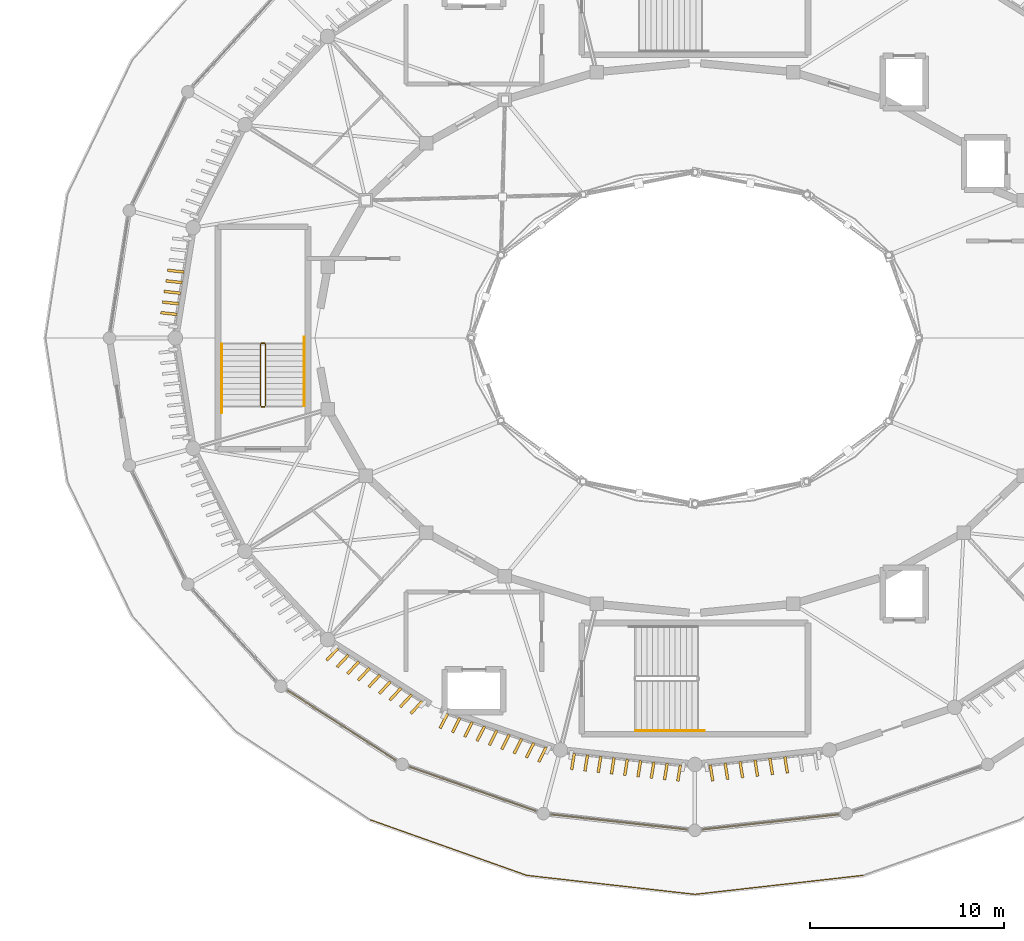
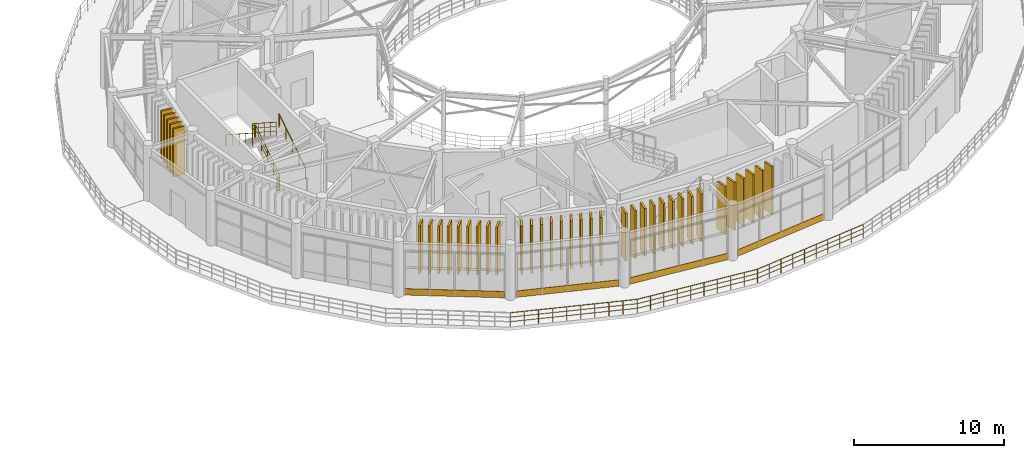
# One storey, part 39 of 45: 38 shading devices, 10 railings, 4 coverings.
"""IFC4 building model written with IfcOpenShell, lengths in metres."""

from ifc_helpers import new_model, si_unit, direction, frame, origin, origin_2d, place, context, subcontext, project, spatial, rectangle, circle, extrude, material, layer, layer_set, type_object, element, save


model = new_model("IFC4")

# Units and contexts
model_context = context("Model", 3, precision=1e-05, world=origin(), true_north=direction((0.0, 1.0)))
body_context = subcontext(model_context, "Body", "Model", "MODEL_VIEW")
ifc_project = project(units=[si_unit("LENGTHUNIT", "METRE"), si_unit("AREAUNIT", "SQUARE_METRE"), si_unit("VOLUMEUNIT", "CUBIC_METRE"), si_unit("PLANEANGLEUNIT", "RADIAN"), si_unit("MASSUNIT", "GRAM", prefix="KILO")], contexts=[model_context])

# Site, building, storey
site_placement = place(None, origin())
site = spatial("IfcSite", under=ifc_project, at=site_placement, CompositionType="ELEMENT")
building_placement = place(site_placement, origin())
building = spatial("IfcBuilding", under=site, at=building_placement, Name="Cinderbank Siding Concert Hall", CompositionType="ELEMENT")
storey_placement = place(building_placement, frame((0.0, 0.0, 19.199951171875)))
storey = spatial("IfcBuildingStorey", under=building, at=storey_placement, Name="L05", CompositionType="ELEMENT", Elevation=19.199951171875)

# Coverings
ifc_material_1 = material(Name="Spotted gum glulam timber GL18 (42 MPa)", Category="wood")
ifc_layer = layer(ifc_material_1, 0.06494140625)
ifc_layer_set = layer_set([ifc_layer], Name="Spotted gum glulam timber GL18 (42 MPa)")
covering_type = type_object("IfcCoveringType", Name="CL-01 Spotted Gum Spandrel Band 520mm", PredefinedType="CLADDING", material=ifc_layer_set)
covering_1_placement = place(storey_placement, frame((103.772705078125, 24.021240234375, 0.0), z_axis=(0.0, 0.0, 1.0), x_axis=(0.840218663385, -0.542247727243, 0.0)))
element("IfcCovering", 1, at=covering_1_placement, inside=storey, type_object=covering_type, Name="CW-L05-085 Spotted Gum Spandrel Band", PredefinedType="CLADDING", context=body_context, shape_type="SweptSolid", body=[
    extrude(rectangle(XDim=6.6640625, YDim=0.06494140625, at=origin_2d()), origin(), (0.0, 0.0, 1.0), 0.52001953125),
])
covering_2_placement = place(storey_placement, frame((110.5419921875, 20.734130859375, 0.0), z_axis=(0.0, 0.0, 1.0), x_axis=(0.944334191914, -0.328987741387, 0.0)))
element("IfcCovering", 2, at=covering_2_placement, inside=storey, type_object=covering_type, Name="CW-L05-086 Spotted Gum Spandrel Band", PredefinedType="CLADDING", context=body_context, shape_type="SweptSolid", body=[
    extrude(rectangle(XDim=6.93310546875, YDim=0.06494140625, at=origin_2d()), origin(), (0.0, 0.0, 1.0), 0.52001953125),
])
for number, where, z_axis, x_axis, name in (
    (3, (118.091796875, 19.03271484375, 0.0), (0.0, 0.0, 1.0), (0.993925224089, -0.110057480072, 0.0), "CW-L05-087 Spotted Gum Spandrel Band"),
    (4, (125.908203125, 19.03271484375, 0.0), (0.0, 0.0, 1.0), (0.993925224089, 0.110057480072, 0.0), "CW-L05-088 Spotted Gum Spandrel Band"),
):
    element("IfcCovering", number, at=place(storey_placement, frame(where, z_axis=z_axis, x_axis=x_axis)), inside=storey, type_object=covering_type, Name=name, PredefinedType="CLADDING", context=body_context, shape_type="SweptSolid", body=[
        extrude(rectangle(XDim=7.083984375, YDim=0.06494140625, at=origin_2d()), origin(), (0.0, 0.0, 1.0), 0.52001953125),
    ])

# Railings
ifc_material_2 = material(Name="Structural steel AS/NZS 3679.1 Grade 350 (340 MPa)", Category="steel")
railing_type_1 = type_object("IfcRailingType", Name="GD-01 Terrace & Perimeter Guardrail 1120mm", PredefinedType="GUARDRAIL", material=ifc_material_2)
railing_1_placement = place(storey_placement, frame((130.673583984375, 16.279296875, 0.0)))
element("IfcRailing", 5, at=railing_1_placement, inside=storey, type_object=railing_type_1, Name="L05 Perimeter Guardrail #112", PredefinedType="GUARDRAIL", context=body_context, shape_type="SweptSolid", body=[
    extrude(circle(Radius=0.02392578125, at=origin_2d()), frame((0.0, 0.0, 1.09619140625), z_axis=(-0.99369331091, -0.112132082175, 0.0), x_axis=(0.112132082175, -0.99369331091, 0.0)), (0.0, 0.0, 1.0), 8.728515625),
    extrude(circle(Radius=0.01611328125, at=origin_2d()), frame((0.0, 0.0, 0.36962890625), z_axis=(-0.99369331091, -0.112132082175, 0.0), x_axis=(0.112132082175, -0.99369331091, 0.0)), (0.0, 0.0, 1.0), 8.728515625),
    extrude(circle(Radius=0.01611328125, at=origin_2d()), frame((0.0, 0.0, 0.7392578125), z_axis=(-0.99369331091, -0.112132082175, 0.0), x_axis=(0.112132082175, -0.99369331091, 0.0)), (0.0, 0.0, 1.0), 8.728515625),
    extrude(circle(Radius=0.02099609375, at=origin_2d()), origin(), (0.0, 0.0, 1.0), 1.072021484375),
    extrude(circle(Radius=0.02099609375, at=origin_2d()), frame((-0.963623046875, -0.108642578125, 0.0)), (0.0, 0.0, 1.0), 1.072021484375),
    extrude(circle(Radius=0.02099609375, at=origin_2d()), frame((-1.927490234375, -0.217529296875, 0.0)), (0.0, 0.0, 1.0), 1.072021484375),
    extrude(circle(Radius=0.02099609375, at=origin_2d()), frame((-2.89111328125, -0.326171875, 0.0)), (0.0, 0.0, 1.0), 1.072021484375),
    extrude(circle(Radius=0.02099609375, at=origin_2d()), frame((-3.85498046875, -0.43505859375, 0.0)), (0.0, 0.0, 1.0), 1.072021484375),
    extrude(circle(Radius=0.02099609375, at=origin_2d()), frame((-4.818603515625, -0.543701171875, 0.0)), (0.0, 0.0, 1.0), 1.072021484375),
    extrude(circle(Radius=0.02099609375, at=origin_2d()), frame((-5.782470703125, -0.652587890625, 0.0)), (0.0, 0.0, 1.0), 1.072021484375),
    extrude(circle(Radius=0.02099609375, at=origin_2d()), frame((-6.74609375, -0.76123046875, 0.0)), (0.0, 0.0, 1.0), 1.072021484375),
    extrude(circle(Radius=0.02099609375, at=origin_2d()), frame((-7.7099609375, -0.8701171875, 0.0)), (0.0, 0.0, 1.0), 1.072021484375),
    extrude(circle(Radius=0.02099609375, at=origin_2d()), frame((-8.673583984375, -0.978759765625, 0.0)), (0.0, 0.0, 1.0), 1.072021484375),
])
railing_2_placement = place(storey_placement, frame((122.0, 15.300537109375, 0.0)))
element("IfcRailing", 6, at=railing_2_placement, inside=storey, type_object=railing_type_1, Name="L05 Perimeter Guardrail #113", PredefinedType="GUARDRAIL", context=body_context, shape_type="SweptSolid", body=[
    extrude(circle(Radius=0.02392578125, at=origin_2d()), frame((0.0, 0.0, 1.09619140625), z_axis=(-0.99369331091, 0.112132082175, 0.0), x_axis=(-0.112132082175, -0.99369331091, 0.0)), (0.0, 0.0, 1.0), 8.728515625),
    extrude(circle(Radius=0.01611328125, at=origin_2d()), frame((0.0, 0.0, 0.36962890625), z_axis=(-0.99369331091, 0.112132082175, 0.0), x_axis=(-0.112132082175, -0.99369331091, 0.0)), (0.0, 0.0, 1.0), 8.728515625),
    extrude(circle(Radius=0.01611328125, at=origin_2d()), frame((0.0, 0.0, 0.7392578125), z_axis=(-0.99369331091, 0.112132082175, 0.0), x_axis=(-0.112132082175, -0.99369331091, 0.0)), (0.0, 0.0, 1.0), 8.728515625),
    extrude(circle(Radius=0.02099609375, at=origin_2d()), origin(), (0.0, 0.0, 1.0), 1.072021484375),
    extrude(circle(Radius=0.02099609375, at=origin_2d()), frame((-0.963623046875, 0.108642578125, 0.0)), (0.0, 0.0, 1.0), 1.072021484375),
    extrude(circle(Radius=0.02099609375, at=origin_2d()), frame((-1.927490234375, 0.217529296875, 0.0)), (0.0, 0.0, 1.0), 1.072021484375),
    extrude(circle(Radius=0.02099609375, at=origin_2d()), frame((-2.89111328125, 0.326171875, 0.0)), (0.0, 0.0, 1.0), 1.072021484375),
    extrude(circle(Radius=0.02099609375, at=origin_2d()), frame((-3.85498046875, 0.43505859375, 0.0)), (0.0, 0.0, 1.0), 1.072021484375),
    extrude(circle(Radius=0.02099609375, at=origin_2d()), frame((-4.818603515625, 0.543701171875, 0.0)), (0.0, 0.0, 1.0), 1.072021484375),
    extrude(circle(Radius=0.02099609375, at=origin_2d()), frame((-5.782470703125, 0.652587890625, 0.0)), (0.0, 0.0, 1.0), 1.072021484375),
    extrude(circle(Radius=0.02099609375, at=origin_2d()), frame((-6.74609375, 0.76123046875, 0.0)), (0.0, 0.0, 1.0), 1.072021484375),
    extrude(circle(Radius=0.02099609375, at=origin_2d()), frame((-7.7099609375, 0.8701171875, 0.0)), (0.0, 0.0, 1.0), 1.072021484375),
    extrude(circle(Radius=0.02099609375, at=origin_2d()), frame((-8.673583984375, 0.978759765625, 0.0)), (0.0, 0.0, 1.0), 1.072021484375),
])
railing_3_placement = place(storey_placement, frame((113.326416015625, 16.279296875, 0.0)))
element("IfcRailing", 7, at=railing_3_placement, inside=storey, type_object=railing_type_1, Name="L05 Perimeter Guardrail #114", PredefinedType="GUARDRAIL", context=body_context, shape_type="SweptSolid", body=[
    extrude(circle(Radius=0.02392578125, at=origin_2d()), frame((0.0, 0.0, 1.09619140625), z_axis=(-0.942363766241, 0.334590095603, 0.0), x_axis=(-0.334590095603, -0.942363766241, 0.0)), (0.0, 0.0, 1.0), 8.575927734375),
    extrude(circle(Radius=0.01611328125, at=origin_2d()), frame((0.0, 0.0, 0.36962890625), z_axis=(-0.942363766241, 0.334590095603, 0.0), x_axis=(-0.334590095603, -0.942363766241, 0.0)), (0.0, 0.0, 1.0), 8.575927734375),
    extrude(circle(Radius=0.01611328125, at=origin_2d()), frame((0.0, 0.0, 0.7392578125), z_axis=(-0.942363766241, 0.334590095603, 0.0), x_axis=(-0.334590095603, -0.942363766241, 0.0)), (0.0, 0.0, 1.0), 8.575927734375),
    extrude(circle(Radius=0.02099609375, at=origin_2d()), origin(), (0.0, 0.0, 1.0), 1.072021484375),
    extrude(circle(Radius=0.02099609375, at=origin_2d()), frame((-0.89794921875, 0.31884765625, 0.0)), (0.0, 0.0, 1.0), 1.072021484375),
    extrude(circle(Radius=0.02099609375, at=origin_2d()), frame((-1.7958984375, 0.6376953125, 0.0)), (0.0, 0.0, 1.0), 1.072021484375),
    extrude(circle(Radius=0.02099609375, at=origin_2d()), frame((-2.69384765625, 0.95654296875, 0.0)), (0.0, 0.0, 1.0), 1.072021484375),
    extrude(circle(Radius=0.02099609375, at=origin_2d()), frame((-3.591796875, 1.275390625, 0.0)), (0.0, 0.0, 1.0), 1.072021484375),
    extrude(circle(Radius=0.02099609375, at=origin_2d()), frame((-4.48974609375, 1.593994140625, 0.0)), (0.0, 0.0, 1.0), 1.072021484375),
    extrude(circle(Radius=0.02099609375, at=origin_2d()), frame((-5.3876953125, 1.912841796875, 0.0)), (0.0, 0.0, 1.0), 1.072021484375),
    extrude(circle(Radius=0.02099609375, at=origin_2d()), frame((-6.28564453125, 2.231689453125, 0.0)), (0.0, 0.0, 1.0), 1.072021484375),
    extrude(circle(Radius=0.02099609375, at=origin_2d()), frame((-7.18359375, 2.550537109375, 0.0)), (0.0, 0.0, 1.0), 1.072021484375),
    extrude(circle(Radius=0.02099609375, at=origin_2d()), frame((-8.08154296875, 2.869384765625, 0.0)), (0.0, 0.0, 1.0), 1.072021484375),
])

# Shading devices
ifc_material_3 = material(Name="Glazed architectural terracotta acoustic louvre unit", Category="masonry")
shading_device_type = type_object("IfcShadingDeviceType", Name="LV-01 Terracotta Louvre Blade 850x3850", PredefinedType="JALOUSIE", material=ifc_material_3)
for number, where, z_axis, x_axis, name in (
    (8, (95.21728515625, 47.450927734375, 0.0751953125), (0.0, 0.0, 1.0), (-0.994210818271, 0.107446958234, 0.0), "L05 Terracotta Louvre Blade #94"),
    (9, (95.129638671875, 46.90380859375, 0.0751953125), (0.0, 0.0, 1.0), (-0.994210818271, 0.107446958234, 0.0), "L05 Terracotta Louvre Blade #95"),
    (10, (95.0419921875, 46.35693359375, 0.0751953125), (0.0, 0.0, 1.0), (-0.994210818271, 0.107446958234, 0.0), "L05 Terracotta Louvre Blade #96"),
    (11, (94.9541015625, 45.809814453125, 0.0751953125), (0.0, 0.0, 1.0), (-0.994210818271, 0.107446958234, 0.0), "L05 Terracotta Louvre Blade #97"),
    (12, (94.866455078125, 45.2626953125, 0.0751953125), (0.0, 0.0, 1.0), (-0.994210818271, 0.107446958234, 0.0), "L05 Terracotta Louvre Blade #98"),
    (13, (103.289306640625, 27.677490234375, 0.0751953125), (0.0, 0.0, 1.0), (-0.682869257989, -0.730540605643, 0.0), "L05 Terracotta Louvre Blade #127"),
    (14, (103.832763671875, 27.335205078125, 0.0751953125), (0.0, 0.0, 1.0), (-0.682869257989, -0.730540605643, 0.0), "L05 Terracotta Louvre Blade #128"),
    (15, (104.3759765625, 26.992919921875, 0.0751953125), (0.0, 0.0, 1.0), (-0.682869257989, -0.730540605643, 0.0), "L05 Terracotta Louvre Blade #129"),
    (16, (104.91943359375, 26.650634765625, 0.0751953125), (0.0, 0.0, 1.0), (-0.682869257989, -0.730540605643, 0.0), "L05 Terracotta Louvre Blade #130"),
    (17, (105.462890625, 26.308349609375, 0.0751953125), (0.0, 0.0, 1.0), (-0.682869257989, -0.730540605643, 0.0), "L05 Terracotta Louvre Blade #131"),
    (18, (106.006103515625, 25.966064453125, 0.0751953125), (0.0, 0.0, 1.0), (-0.682869257989, -0.730540605643, 0.0), "L05 Terracotta Louvre Blade #132"),
    (19, (106.549560546875, 25.623779296875, 0.0751953125), (0.0, 0.0, 1.0), (-0.682869257989, -0.730540605643, 0.0), "L05 Terracotta Louvre Blade #133"),
    (20, (107.093017578125, 25.281494140625, 0.0751953125), (0.0, 0.0, 1.0), (-0.682869257989, -0.730540605643, 0.0), "L05 Terracotta Louvre Blade #134"),
    (21, (107.636474609375, 24.939208984375, 0.0751953125), (0.0, 0.0, 1.0), (-0.682869257989, -0.730540605643, 0.0), "L05 Terracotta Louvre Blade #135"),
    (22, (109.048583984375, 24.240478515625, 0.0751953125), (0.0, 0.0, 1.0), (-0.450487284518, -0.89278284397, 0.0), "L05 Terracotta Louvre Blade #136"),
    (23, (109.684814453125, 24.024169921875, 0.0751953125), (0.0, 0.0, 1.0), (-0.450487284518, -0.89278284397, 0.0), "L05 Terracotta Louvre Blade #137"),
    (24, (110.32080078125, 23.807861328125, 0.0751953125), (0.0, 0.0, 1.0), (-0.450487284518, -0.89278284397, 0.0), "L05 Terracotta Louvre Blade #138"),
    (25, (110.956787109375, 23.591552734375, 0.0751953125), (0.0, 0.0, 1.0), (-0.450487284518, -0.89278284397, 0.0), "L05 Terracotta Louvre Blade #139"),
    (26, (111.593017578125, 23.375244140625, 0.0751953125), (0.0, 0.0, 1.0), (-0.450487284518, -0.89278284397, 0.0), "L05 Terracotta Louvre Blade #140"),
    (27, (112.229248046875, 23.158935546875, 0.0751953125), (0.0, 0.0, 1.0), (-0.450487284518, -0.89278284397, 0.0), "L05 Terracotta Louvre Blade #141"),
    (28, (112.865234375, 22.942626953125, 0.0751953125), (0.0, 0.0, 1.0), (-0.450487284518, -0.89278284397, 0.0), "L05 Terracotta Louvre Blade #142"),
    (29, (113.50146484375, 22.726318359375, 0.0751953125), (0.0, 0.0, 1.0), (-0.450487284518, -0.89278284397, 0.0), "L05 Terracotta Louvre Blade #143"),
    (30, (114.137451171875, 22.510009765625, 0.0751953125), (0.0, 0.0, 1.0), (-0.450487284518, -0.89278284397, 0.0), "L05 Terracotta Louvre Blade #144"),
    (31, (115.709716796875, 22.1474609375, 0.0751953125), (0.0, 0.0, 1.0), (-0.158354123126, -0.987382383724, 0.0), "L05 Terracotta Louvre Blade #145"),
    (32, (116.394287109375, 22.073486328125, 0.0751953125), (0.0, 0.0, 1.0), (-0.158354123126, -0.987382383724, 0.0), "L05 Terracotta Louvre Blade #146"),
    (33, (117.078857421875, 21.99951171875, 0.0751953125), (0.0, 0.0, 1.0), (-0.158354123126, -0.987382383724, 0.0), "L05 Terracotta Louvre Blade #147"),
    (34, (117.76318359375, 21.925537109375, 0.0751953125), (0.0, 0.0, 1.0), (-0.158354123126, -0.987382383724, 0.0), "L05 Terracotta Louvre Blade #148"),
    (35, (118.447998046875, 21.8515625, 0.0751953125), (0.0, 0.0, 1.0), (-0.158354123126, -0.987382383724, 0.0), "L05 Terracotta Louvre Blade #149"),
    (36, (119.13232421875, 21.777587890625, 0.0751953125), (0.0, 0.0, 1.0), (-0.158354123126, -0.987382383724, 0.0), "L05 Terracotta Louvre Blade #150"),
    (37, (119.81689453125, 21.70361328125, 0.0751953125), (0.0, 0.0, 1.0), (-0.158354123126, -0.987382383724, 0.0), "L05 Terracotta Louvre Blade #151"),
    (38, (120.50146484375, 21.629638671875, 0.0751953125), (0.0, 0.0, 1.0), (-0.158354123126, -0.987382383724, 0.0), "L05 Terracotta Louvre Blade #152"),
    (39, (121.18603515625, 21.5556640625, 0.0751953125), (0.0, 0.0, 1.0), (-0.158354123126, -0.987382383724, 0.0), "L05 Terracotta Louvre Blade #153"),
    (40, (122.856689453125, 21.560302734375, 0.0751953125), (0.0, 0.0, 1.0), (0.158354123126, -0.987382383724, 0.0), "L05 Terracotta Louvre Blade #154"),
    (41, (123.626708984375, 21.643310546875, 0.0751953125), (0.0, 0.0, 1.0), (0.158354123126, -0.987382383724, 0.0), "L05 Terracotta Louvre Blade #155"),
    (42, (124.39697265625, 21.726806640625, 0.0751953125), (0.0, 0.0, 1.0), (0.158354123126, -0.987382383724, 0.0), "L05 Terracotta Louvre Blade #156"),
    (43, (125.1669921875, 21.809814453125, 0.0751953125), (0.0, 0.0, 1.0), (0.158354123126, -0.987382383724, 0.0), "L05 Terracotta Louvre Blade #157"),
    (44, (125.937255859375, 21.89306640625, 0.0751953125), (0.0, 0.0, 1.0), (0.158354123126, -0.987382383724, 0.0), "L05 Terracotta Louvre Blade #158"),
    (45, (126.707275390625, 21.976318359375, 0.0751953125), (0.0, 0.0, 1.0), (0.158354123126, -0.987382383724, 0.0), "L05 Terracotta Louvre Blade #159"),
):
    element("IfcShadingDevice", number, at=place(storey_placement, frame(where, z_axis=z_axis, x_axis=x_axis)), inside=storey, type_object=shading_device_type, Name=name, PredefinedType="JALOUSIE", context=body_context, shape_type="SweptSolid", body=[
        extrude(rectangle(XDim=0.85009765625, YDim=0.139892578125, at=origin_2d()), origin(), (0.0, 0.0, 1.0), 3.889892578125),
    ])

# Railings
railing_type_2 = type_object("IfcRailingType", Name="STG-01 Stair Well Guardrail 1120mm", PredefinedType="GUARDRAIL", material=ifc_material_2)
railing_4_placement = place(storey_placement, frame((99.85009765625, 40.5, 0.1875)))
element("IfcRailing", 46, at=railing_4_placement, inside=storey, type_object=railing_type_2, Name="L05 ST-04 stair guard 1", PredefinedType="GUARDRAIL", context=body_context, shape_type="SweptSolid", body=[
    extrude(circle(Radius=0.02392578125, at=origin_2d()), frame((0.0, 0.0, 1.09619140625), z_axis=(0.0, 0.839759782654, 0.542958108362), x_axis=(-1.0, 0.0, 0.0)), (0.0, 0.0, 1.0), 3.798583984375),
    extrude(circle(Radius=0.01611328125, at=origin_2d()), frame((0.0, 0.0, 0.36962890625), z_axis=(0.0, 0.839759782654, 0.542958108362), x_axis=(-1.0, 0.0, 0.0)), (0.0, 0.0, 1.0), 3.798583984375),
    extrude(circle(Radius=0.01611328125, at=origin_2d()), frame((0.0, 0.0, 0.7392578125), z_axis=(0.0, 0.839759782654, 0.542958108362), x_axis=(-1.0, 0.0, 0.0)), (0.0, 0.0, 1.0), 3.798583984375),
    extrude(circle(Radius=0.02099609375, at=origin_2d()), origin(), (0.0, 0.0, 1.0), 1.072021484375),
    extrude(circle(Radius=0.02099609375, at=origin_2d()), frame((0.0, 0.79736328125, 0.515625)), (0.0, 0.0, 1.0), 1.072021484375),
    extrude(circle(Radius=0.02099609375, at=origin_2d()), frame((0.0, 1.594970703125, 1.03125)), (0.0, 0.0, 1.0), 1.072021484375),
    extrude(circle(Radius=0.02099609375, at=origin_2d()), frame((0.0, 2.392578125, 1.546875)), (0.0, 0.0, 1.0), 1.072021484375),
    extrude(circle(Radius=0.02099609375, at=origin_2d()), frame((0.0, 3.18994140625, 2.0625)), (0.0, 0.0, 1.0), 1.072021484375),
])
railing_5_placement = place(storey_placement, frame((99.800048828125, 43.739990234375, 2.25)))
element("IfcRailing", 47, at=railing_5_placement, inside=storey, type_object=railing_type_2, Name="L05 ST-04 stair guard 2", PredefinedType="GUARDRAIL", context=body_context, shape_type="SweptSolid", body=[
    extrude(circle(Radius=0.02392578125, at=origin_2d()), frame((0.0, 0.0, 1.09619140625), z_axis=(-1.0, 0.0, 0.0), x_axis=(0.0, -1.0, 0.0)), (0.0, 0.0, 1.0), 0.16015625),
    extrude(circle(Radius=0.01611328125, at=origin_2d()), frame((0.0, 0.0, 0.36962890625), z_axis=(-1.0, 0.0, 0.0), x_axis=(0.0, -1.0, 0.0)), (0.0, 0.0, 1.0), 0.16015625),
    extrude(circle(Radius=0.01611328125, at=origin_2d()), frame((0.0, 0.0, 0.7392578125), z_axis=(-1.0, 0.0, 0.0), x_axis=(0.0, -1.0, 0.0)), (0.0, 0.0, 1.0), 0.16015625),
    extrude(circle(Radius=0.02099609375, at=origin_2d()), origin(), (0.0, 0.0, 1.0), 1.072021484375),
    extrude(circle(Radius=0.02099609375, at=origin_2d()), frame((-0.16015625, 0.0, 0.0)), (0.0, 0.0, 1.0), 1.072021484375),
])
railing_6_placement = place(storey_placement, frame((99.590087890625, 43.68994140625, 2.4375)))
element("IfcRailing", 48, at=railing_6_placement, inside=storey, type_object=railing_type_2, Name="L05 ST-04 stair guard 3", PredefinedType="GUARDRAIL", context=body_context, shape_type="SweptSolid", body=[
    extrude(circle(Radius=0.02392578125, at=origin_2d()), frame((0.0, 0.0, 1.09619140625), z_axis=(0.0, -0.839759782654, 0.542958108362), x_axis=(1.0, 0.0, 0.0)), (0.0, 0.0, 1.0), 3.798583984375),
    extrude(circle(Radius=0.01611328125, at=origin_2d()), frame((0.0, 0.0, 0.36962890625), z_axis=(0.0, -0.839759782654, 0.542958108362), x_axis=(1.0, 0.0, 0.0)), (0.0, 0.0, 1.0), 3.798583984375),
    extrude(circle(Radius=0.01611328125, at=origin_2d()), frame((0.0, 0.0, 0.7392578125), z_axis=(0.0, -0.839759782654, 0.542958108362), x_axis=(1.0, 0.0, 0.0)), (0.0, 0.0, 1.0), 3.798583984375),
    extrude(circle(Radius=0.02099609375, at=origin_2d()), origin(), (0.0, 0.0, 1.0), 1.072021484375),
    extrude(circle(Radius=0.02099609375, at=origin_2d()), frame((0.0, -0.79736328125, 0.515625)), (0.0, 0.0, 1.0), 1.072021484375),
    extrude(circle(Radius=0.02099609375, at=origin_2d()), frame((0.0, -1.594970703125, 1.03125)), (0.0, 0.0, 1.0), 1.072021484375),
    extrude(circle(Radius=0.02099609375, at=origin_2d()), frame((0.0, -2.392578125, 1.546875)), (0.0, 0.0, 1.0), 1.072021484375),
    extrude(circle(Radius=0.02099609375, at=origin_2d()), frame((0.0, -3.18994140625, 2.0625)), (0.0, 0.0, 1.0), 1.072021484375),
])
railing_7_placement = place(storey_placement, frame((99.800048828125, 40.449951171875, 0.0)))
element("IfcRailing", 49, at=railing_7_placement, inside=storey, type_object=railing_type_2, Name="L05 ST-04 stair guard 4", PredefinedType="GUARDRAIL", context=body_context, shape_type="SweptSolid", body=[
    extrude(circle(Radius=0.02392578125, at=origin_2d()), frame((0.0, 0.0, 1.09619140625), z_axis=(-1.0, 0.0, 0.0), x_axis=(0.0, -1.0, 0.0)), (0.0, 0.0, 1.0), 0.16015625),
    extrude(circle(Radius=0.01611328125, at=origin_2d()), frame((0.0, 0.0, 0.36962890625), z_axis=(-1.0, 0.0, 0.0), x_axis=(0.0, -1.0, 0.0)), (0.0, 0.0, 1.0), 0.16015625),
    extrude(circle(Radius=0.01611328125, at=origin_2d()), frame((0.0, 0.0, 0.7392578125), z_axis=(-1.0, 0.0, 0.0), x_axis=(0.0, -1.0, 0.0)), (0.0, 0.0, 1.0), 0.16015625),
    extrude(circle(Radius=0.02099609375, at=origin_2d()), origin(), (0.0, 0.0, 1.0), 1.072021484375),
    extrude(circle(Radius=0.02099609375, at=origin_2d()), frame((-0.16015625, 0.0, 0.0)), (0.0, 0.0, 1.0), 1.072021484375),
])
railing_type_3 = type_object("IfcRailingType", Name="STH-01 Stair Pitch Handrail 920mm", PredefinedType="HANDRAIL", material=ifc_material_2)
railing_8_placement = place(storey_placement, frame((118.949951171875, 23.75, 0.1875)))
element("IfcRailing", 50, at=railing_8_placement, inside=storey, type_object=railing_type_3, Name="L05 ST-02 stair handrail 1", PredefinedType="HANDRAIL", context=body_context, shape_type="SweptSolid", body=[
    extrude(circle(Radius=0.02392578125, at=origin_2d()), frame((0.0, 0.0, 0.89599609375), z_axis=(0.839762940478, 0.0, 0.542953224319), x_axis=(0.0, 1.0, 0.0)), (0.0, 0.0, 1.0), 4.14404296875),
    extrude(circle(Radius=0.02392578125, at=origin_2d()), frame((3.47998046875, 0.0, 3.14599609375), z_axis=(1.0, 0.0, 0.0), x_axis=(0.0, 1.0, 0.0)), (0.0, 0.0, 1.0), 0.06005859375),
    extrude(circle(Radius=0.02099609375, at=origin_2d()), origin(), (0.0, 0.0, 1.0), 0.871826171875),
    extrude(circle(Radius=0.02099609375, at=origin_2d()), frame((0.8701171875, 0.0, 0.5625)), (0.0, 0.0, 1.0), 0.871826171875),
    extrude(circle(Radius=0.02099609375, at=origin_2d()), frame((1.739990234375, 0.0, 1.125)), (0.0, 0.0, 1.0), 0.871826171875),
    extrude(circle(Radius=0.02099609375, at=origin_2d()), frame((2.60986328125, 0.0, 1.6875)), (0.0, 0.0, 1.0), 0.871826171875),
    extrude(circle(Radius=0.02099609375, at=origin_2d()), frame((3.47998046875, 0.0, 2.25)), (0.0, 0.0, 1.0), 0.871826171875),
    extrude(circle(Radius=0.02099609375, at=origin_2d()), frame((3.5400390625, 0.0, 2.0625)), (0.0, 0.0, 1.0), 1.059326171875),
])
railing_9_placement = place(storey_placement, frame((101.85009765625, 40.5, 0.1875)))
element("IfcRailing", 51, at=railing_9_placement, inside=storey, type_object=railing_type_3, Name="L05 ST-04 stair handrail 1", PredefinedType="HANDRAIL", context=body_context, shape_type="SweptSolid", body=[
    extrude(circle(Radius=0.02392578125, at=origin_2d()), frame((0.0, 0.0, 0.89599609375), z_axis=(0.0, 0.839762940478, 0.542953224319), x_axis=(-1.0, 0.0, 0.0)), (0.0, 0.0, 1.0), 4.14404296875),
    extrude(circle(Radius=0.02392578125, at=origin_2d()), frame((0.0, 3.47998046875, 3.14599609375), z_axis=(0.0, 1.0, 0.0), x_axis=(-1.0, 0.0, 0.0)), (0.0, 0.0, 1.0), 0.06005859375),
    extrude(circle(Radius=0.02099609375, at=origin_2d()), origin(), (0.0, 0.0, 1.0), 0.871826171875),
    extrude(circle(Radius=0.02099609375, at=origin_2d()), frame((0.0, 0.8701171875, 0.5625)), (0.0, 0.0, 1.0), 0.871826171875),
    extrude(circle(Radius=0.02099609375, at=origin_2d()), frame((0.0, 1.739990234375, 1.125)), (0.0, 0.0, 1.0), 0.871826171875),
    extrude(circle(Radius=0.02099609375, at=origin_2d()), frame((0.0, 2.60986328125, 1.6875)), (0.0, 0.0, 1.0), 0.871826171875),
    extrude(circle(Radius=0.02099609375, at=origin_2d()), frame((0.0, 3.47998046875, 2.25)), (0.0, 0.0, 1.0), 0.871826171875),
    extrude(circle(Radius=0.02099609375, at=origin_2d()), frame((0.0, 3.5400390625, 2.0625)), (0.0, 0.0, 1.0), 1.059326171875),
])
railing_10_placement = place(storey_placement, frame((97.590087890625, 43.68994140625, 2.4375)))
element("IfcRailing", 52, at=railing_10_placement, inside=storey, type_object=railing_type_3, Name="L05 ST-04 stair handrail 2", PredefinedType="HANDRAIL", context=body_context, shape_type="SweptSolid", body=[
    extrude(circle(Radius=0.02392578125, at=origin_2d()), frame((0.0, 0.0, 0.89599609375), z_axis=(0.0, -0.839762940478, 0.542953224319), x_axis=(1.0, 0.0, 0.0)), (0.0, 0.0, 1.0), 4.14404296875),
    extrude(circle(Radius=0.02392578125, at=origin_2d()), frame((0.0, -3.47998046875, 3.14599609375), z_axis=(0.0, -1.0, 0.0), x_axis=(1.0, 0.0, 0.0)), (0.0, 0.0, 1.0), 0.06005859375),
    extrude(circle(Radius=0.02099609375, at=origin_2d()), origin(), (0.0, 0.0, 1.0), 0.871826171875),
    extrude(circle(Radius=0.02099609375, at=origin_2d()), frame((0.0, -0.8701171875, 0.5625)), (0.0, 0.0, 1.0), 0.871826171875),
    extrude(circle(Radius=0.02099609375, at=origin_2d()), frame((0.0, -1.739990234375, 1.125)), (0.0, 0.0, 1.0), 0.871826171875),
    extrude(circle(Radius=0.02099609375, at=origin_2d()), frame((0.0, -2.60986328125, 1.6875)), (0.0, 0.0, 1.0), 0.871826171875),
    extrude(circle(Radius=0.02099609375, at=origin_2d()), frame((0.0, -3.47998046875, 2.25)), (0.0, 0.0, 1.0), 0.871826171875),
    extrude(circle(Radius=0.02099609375, at=origin_2d()), frame((0.0, -3.5400390625, 2.0625)), (0.0, 0.0, 1.0), 1.059326171875),
])

save(model, "model.ifc")
